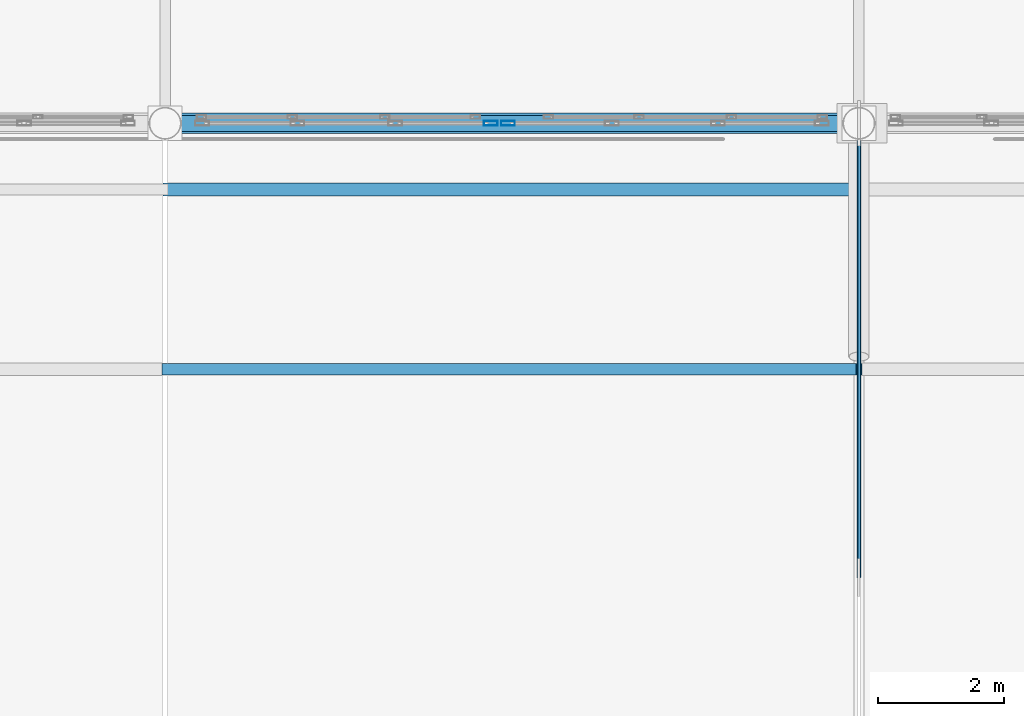
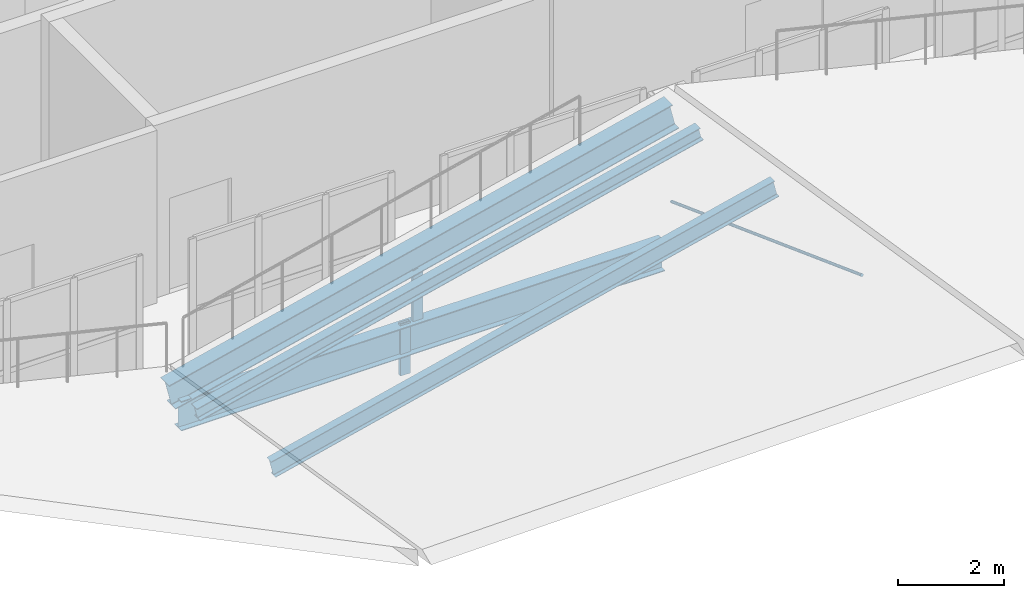
# One storey, part 40 of 120: 5 members, 2 beams, 2 elements without a shape of their own.
"""IFC4 building model written with IfcOpenShell, lengths in metres."""

import ifcopenshell
import ifcopenshell.guid

model = None  # the IFC model being written
_history = None  # IfcOwnerHistory: only IFC2X3 demands one
_inside = {}  # id of a spatial element -> (the spatial element, [elements in it])
_under = {}  # id of a project, library or spatial element -> (it, [spatial elements below it])
_declared = {}  # id of a project -> (the project, [libraries it declares])
_typed = {}  # id of a type object -> (the type object, [elements of that type])
_made_of = {}  # id of a material, layer set ... -> (it, [elements and type objects made of it])


def new_model(schema):
    """Start an empty IFC model of exactly this schema.

    Asked for "IFC4X3", IfcOpenShell would pick the latest addendum, in which some entities
    have other attributes; the version numbers below select the first issue.
    IFC2X3 requires an IfcOwnerHistory on every rooted entity: one is made here for all.
    """
    global model, _history
    if schema == "IFC4X3":
        model = ifcopenshell.file(schema_version=(4, 3, 0, 0))
    else:
        model = ifcopenshell.file(schema=schema)
    _inside.clear()
    _under.clear()
    _declared.clear()
    _typed.clear()
    _made_of.clear()
    _history = None
    if model.schema == "IFC2X3":
        org = make("IfcOrganization", Name="unknown")
        user = make(
            "IfcPersonAndOrganization",
            ThePerson=make("IfcPerson", FamilyName="unknown"),
            TheOrganization=org,
        )
        app = make(
            "IfcApplication",
            ApplicationDeveloper=org,
            Version="unknown",
            ApplicationFullName="unknown",
            ApplicationIdentifier="unknown",
        )
        _history = make(
            "IfcOwnerHistory",
            OwningUser=user,
            OwningApplication=app,
            ChangeAction="ADDED",
            CreationDate=0,
        )
    return model


def make(cls, **values):
    """One entity of the class cls with the attributes given. An attribute that is None is left unset."""
    return model.create_entity(
        cls, **{name: value for name, value in values.items() if value is not None}
    )


def rooted(cls, **values):
    """An entity with a GlobalId (a new one), such as an element, a storey or a relation."""
    return make(cls, GlobalId=ifcopenshell.guid.new(), OwnerHistory=_history, **values)


def si_unit(unit_type, name, prefix=None):
    """IfcSIUnit, for example si_unit("LENGTHUNIT", "METRE", prefix="MILLI")."""
    return make("IfcSIUnit", UnitType=unit_type, Prefix=prefix, Name=name)


def assignment(units):
    """IfcUnitAssignment: the units of a project."""
    return None if units is None else make("IfcUnitAssignment", Units=units)


def point(xyz):
    """IfcCartesianPoint."""
    return None if xyz is None else make("IfcCartesianPoint", Coordinates=xyz)


def direction(xyz):
    """IfcDirection."""
    return None if xyz is None else make("IfcDirection", DirectionRatios=xyz)


def frame(location, z_axis=None, x_axis=None):
    """IfcAxis2Placement3D, a coordinate frame: its origin and axes. An axis left out is left unset."""
    return make(
        "IfcAxis2Placement3D",
        Location=point(location),
        Axis=direction(z_axis),
        RefDirection=direction(x_axis),
    )


def frame_2d(location, x_axis=None):
    """IfcAxis2Placement2D, a coordinate frame in the plane: its origin and x axis."""
    return make(
        "IfcAxis2Placement2D", Location=point(location), RefDirection=direction(x_axis)
    )


def origin():
    """The frame at (0, 0, 0) with its axes left unset."""
    return frame((0.0, 0.0, 0.0))


def origin_2d():
    """The frame at (0, 0) in the plane with its x axis left unset."""
    return frame_2d((0.0, 0.0))


def place(relative_to, where):
    """IfcLocalPlacement: puts the frame where relative to a parent placement (None: the world)."""
    return make(
        "IfcLocalPlacement", PlacementRelTo=relative_to, RelativePlacement=where
    )


def context(
    kind, dimensions, precision=None, world=None, true_north=None, identifier=None
):
    """IfcGeometricRepresentationContext, for example the 3D "Model" context."""
    return make(
        "IfcGeometricRepresentationContext",
        ContextIdentifier=identifier,
        ContextType=kind,
        CoordinateSpaceDimension=dimensions,
        Precision=precision,
        WorldCoordinateSystem=world,
        TrueNorth=true_north,
    )


def subcontext(parent, identifier, kind, view, scale=None):
    """IfcGeometricRepresentationSubContext, for example "Body" below "Model"."""
    return make(
        "IfcGeometricRepresentationSubContext",
        ContextIdentifier=identifier,
        ContextType=kind,
        ParentContext=parent,
        TargetScale=scale,
        TargetView=view,
    )


def project(units=None, contexts=None):
    """IfcProject with its units and contexts."""
    return rooted(
        "IfcProject",
        Name="project",
        RepresentationContexts=contexts,
        UnitsInContext=assignment(units),
    )


def spatial(cls, under=None, at=None, **own):
    """A site, building, storey or space (cls), placed at a placement, below another one or the project."""
    s = rooted(cls, ObjectPlacement=at, **own)
    if under is not None:
        _under.setdefault(under.id(), (under, []))[1].append(s)
    return s


def profile(cls, at=None, kind="AREA", **sizes):
    """A parametric profile (cls). Its sizes go by their IFC names, for example OverallWidth=200.0."""
    return make(cls, ProfileType=kind, Position=at, **sizes)


def hollow_rectangle(**sizes):
    """IfcRectangleHollowProfileDef."""
    return profile("IfcRectangleHollowProfileDef", **sizes)


def circle(**sizes):
    """IfcCircleProfileDef."""
    return profile("IfcCircleProfileDef", **sizes)


def i_section(**sizes):
    """IfcIShapeProfileDef."""
    return profile("IfcIShapeProfileDef", **sizes)


def extrude(swept, where, along, depth):
    """IfcExtrudedAreaSolid: the profile swept, set in the frame where, extruded along a direction by depth."""
    return make(
        "IfcExtrudedAreaSolid",
        SweptArea=swept,
        Position=where,
        ExtrudedDirection=direction(along),
        Depth=depth,
    )


def shape(context_of_items, identifier, shape_type, items):
    """IfcShapeRepresentation: the items that make up one representation, for example the "Body"."""
    return make(
        "IfcShapeRepresentation",
        ContextOfItems=context_of_items,
        RepresentationIdentifier=identifier,
        RepresentationType=shape_type,
        Items=items,
    )


def material(Name=None, Category=None):
    """IfcMaterial."""
    return make("IfcMaterial", Name=Name, Category=Category)


def material_profile(
    of_material, cross_section, Name=None, Category=None, Priority=None
):
    """IfcMaterialProfile: a cross section and its material."""
    return make(
        "IfcMaterialProfile",
        Name=Name,
        Material=of_material,
        Profile=cross_section,
        Priority=Priority,
        Category=Category,
    )


def profile_set(profiles, Name=None, composite=None):
    """IfcMaterialProfileSet."""
    return make(
        "IfcMaterialProfileSet",
        Name=Name,
        MaterialProfiles=profiles,
        CompositeProfile=composite,
    )


def made_of(thing, what):
    """Note that an element or type object is made of a material, layer set ...; save() writes the relation."""
    if what is not None:
        _made_of.setdefault(what.id(), (what, []))[1].append(thing)
    return thing


def type_object(cls, material=None, **own):
    """A type object (cls), such as IfcWallType, which elements share."""
    return made_of(rooted(cls, **own), material)


def element(
    cls,
    number,
    at=None,
    inside=None,
    cuts=None,
    type_object=None,
    material=None,
    context=None,
    identifier="Body",
    shape_type=None,
    held_by="IfcProductDefinitionShape",
    body=None,
    shapes=None,
    **own,
):
    """One element of the class cls, such as IfcWall. Its Tag is "e" and its number.

    at: its placement. inside: the storey or other place that contains it. cuts: it is an
    opening in that element (IfcRelVoidsElement). A single representation is given by context,
    identifier, shape_type and body (its items); several are given by shapes. held_by: the class
    of the entity that holds the representations. save() writes the other relations.
    """
    e = rooted(cls, Tag="e%d" % number, ObjectPlacement=at, **own)
    if body is not None:
        shapes = [shape(context, identifier, shape_type, body)]
    if shapes is not None:
        e.Representation = make(held_by, Representations=shapes)
    if inside is not None:
        _inside.setdefault(inside.id(), (inside, []))[1].append(e)
    if cuts is not None:
        rooted(
            "IfcRelVoidsElement", RelatingBuildingElement=cuts, RelatedOpeningElement=e
        )
    if type_object is not None:
        _typed.setdefault(type_object.id(), (type_object, []))[1].append(e)
    return made_of(e, material)


def aggregate(whole, parts):
    """IfcRelAggregates: a whole, such as a stair, and the parts it consists of."""
    return rooted("IfcRelAggregates", RelatingObject=whole, RelatedObjects=parts)


def save(model, path):
    """Write the relations noted so far, then the file.

    IfcRelAggregates (storeys below a building ...), IfcRelContainedInSpatialStructure (elements
    in a storey), IfcRelDefinesByType, IfcRelAssociatesMaterial and IfcRelDeclares: one each for
    every whole, place, type object, material and project.
    """
    for whole, parts in _under.values():
        aggregate(whole, parts)
    for where, things in _inside.values():
        rooted(
            "IfcRelContainedInSpatialStructure",
            RelatedElements=things,
            RelatingStructure=where,
        )
    for kind, things in _typed.values():
        rooted("IfcRelDefinesByType", RelatedObjects=things, RelatingType=kind)
    for what, things in _made_of.values():
        rooted("IfcRelAssociatesMaterial", RelatedObjects=things, RelatingMaterial=what)
    for by, libraries in _declared.values():
        rooted("IfcRelDeclares", RelatingContext=by, RelatedDefinitions=libraries)
    model.write(path)


model = new_model("IFC4")

# Units and contexts
model_context = context("Model", 3, precision=1e-05, world=origin(), true_north=direction((0.0, 1.0)))
body_context = subcontext(model_context, "Body", "Model", "MODEL_VIEW")
ifc_project = project(units=[si_unit("LENGTHUNIT", "METRE"), si_unit("AREAUNIT", "SQUARE_METRE"), si_unit("VOLUMEUNIT", "CUBIC_METRE"), si_unit("PLANEANGLEUNIT", "RADIAN"), si_unit("MASSUNIT", "GRAM", prefix="KILO")], contexts=[model_context])

# Site, building, storey
site_placement = place(None, origin())
site = spatial("IfcSite", under=ifc_project, at=site_placement, CompositionType="ELEMENT")
building_placement = place(site_placement, origin())
building = spatial("IfcBuilding", under=site, at=building_placement, Name="Caurita Quay Ferry Terminal", CompositionType="ELEMENT")
storey_placement = place(building_placement, frame((0.0, 0.0, 9.89990234375)))
storey = spatial("IfcBuildingStorey", under=building, at=storey_placement, Name="L02", CompositionType="ELEMENT", Elevation=9.89990234375)

# Beams
ifc_material_1 = material(Name="Structural steel ASTM A992 Gr. 50", Category="steel")
ifc_material_profile_1 = material_profile(ifc_material_1, i_section(OverallWidth=0.3251953125, OverallDepth=0.612060546875, WebThickness=0.0126953125, FlangeThickness=0.01904296875, FilletRadius=0.01513671875, at=origin_2d()), Name="W24X104")
ifc_profile_set_1 = profile_set([ifc_material_profile_1], Name="Structural steel ASTM A992 Gr. 50")
beam_type_1 = type_object("IfcBeamType", Name="BM-GR-W24A", PredefinedType="BEAM", material=ifc_profile_set_1)
beam_1_placement = place(storey_placement, frame((66.0, 62.699951171875, -0.02978515625), z_axis=(0.972389456854, 0.0, 0.233363973654), x_axis=(0.0, 1.0, 0.0)))
element("IfcBeam", 1, at=beam_1_placement, inside=storey, type_object=beam_type_1, Name="Folded Roof Gable Ring Girder V1-N-66", PredefinedType="BEAM", context=body_context, shape_type="SweptSolid", body=[
    extrude(i_section(OverallWidth=0.3251953125, OverallDepth=0.612060546875, WebThickness=0.0126953125, FlangeThickness=0.01904296875, FilletRadius=0.01513671875, at=origin_2d()), origin(), (0.0, 0.0, 1.0), 11.312255859375),
])
ifc_material_profile_2 = material_profile(ifc_material_1, i_section(OverallWidth=0.25390625, OverallDepth=0.68310546875, WebThickness=0.012451171875, FlangeThickness=0.018798828125, at=origin_2d()), Name="W27X94")
ifc_profile_set_2 = profile_set([ifc_material_profile_2], Name="Structural steel ASTM A992 Gr. 50")
beam_type_2 = type_object("IfcBeamType", Name="BM-GR-W27B", PredefinedType="BEAM", material=ifc_profile_set_2)
beam_2_placement = place(storey_placement, frame((66.2158203125, 62.699951171875, -0.5615234375), z_axis=(1.0, 0.0, 0.0), x_axis=(0.0, 1.0, 0.0)))
element("IfcBeam", 2, at=beam_2_placement, inside=storey, type_object=beam_type_2, Name="L02 Beam BM-V1-L02-X-662-627", PredefinedType="BEAM", context=body_context, shape_type="SweptSolid", body=[
    extrude(i_section(OverallWidth=0.25390625, OverallDepth=0.68310546875, WebThickness=0.012451171875, FlangeThickness=0.018798828125, at=origin_2d()), origin(), (0.0, 0.0, 1.0), 10.568359375),
])

# Curtain wall, member
ifc_material_2 = material(Name="Laminated solar-control insulated glass", Category="glass")
curtain_wall_type_1 = type_object("IfcCurtainWallType", Name="CW-SYS-05", PredefinedType="NOTDEFINED", material=ifc_material_2)
curtain_wall_1_placement = place(storey_placement, origin())
curtain_wall_1 = element("IfcCurtainWall", 3, at=curtain_wall_1_placement, inside=storey, type_object=curtain_wall_type_1, Name="Folded Roof Clerestory FB-04-N1", PredefinedType="NOTDEFINED")
ifc_material_3 = material(Name="Anodized aluminium 6063-T6", Category="aluminium")
ifc_material_profile_3 = material_profile(ifc_material_3, hollow_rectangle(XDim=0.074951171875, YDim=0.219970703125, WallThickness=0.00390625, at=origin_2d()), Name="ALU-MUL-75X220")
ifc_profile_set_3 = profile_set([ifc_material_profile_3], Name="Anodized aluminium 6063-T6")
member_type_1 = type_object("IfcMemberType", Name="CW-MUL-220", PredefinedType="MULLION", material=ifc_profile_set_3)
member_1_placement = place(storey_placement, frame((71.16259765625, 62.699951171875, -1.3828125), z_axis=(0.0, 0.0, 1.0), x_axis=(0.0, 1.0, 0.0)))
member_1 = element("IfcMember", 4, at=member_1_placement, type_object=member_type_1, Name="CW-CLR-029 Mullion 4", PredefinedType="MULLION", context=body_context, shape_type="SweptSolid", body=[
    extrude(hollow_rectangle(XDim=0.074951171875, YDim=0.219970703125, WallThickness=0.00390625, at=origin_2d()), origin(), (0.0, 0.0, 1.0), 1.199951171875),
])
aggregate(curtain_wall_1, [member_1])

curtain_wall_type_2 = type_object("IfcCurtainWallType", Name="CW-SYS-06", PredefinedType="NOTDEFINED", material=ifc_material_2)
curtain_wall_2_placement = place(storey_placement, origin())
curtain_wall_2 = element("IfcCurtainWall", 5, at=curtain_wall_2_placement, inside=storey, type_object=curtain_wall_type_2, Name="Folded Roof Clerestory FB-04-N2", PredefinedType="NOTDEFINED")
member_2_placement = place(storey_placement, frame((71.4375, 62.699951171875, -0.218994140625), z_axis=(0.0, 0.0, 1.0), x_axis=(0.0, 1.0, 0.0)))
member_2 = element("IfcMember", 6, at=member_2_placement, type_object=member_type_1, Name="CW-CLR-030 Mullion 1", PredefinedType="MULLION", context=body_context, shape_type="SweptSolid", body=[
    extrude(hollow_rectangle(XDim=0.074951171875, YDim=0.219970703125, WallThickness=0.00390625, at=origin_2d()), origin(), (0.0, 0.0, 1.0), 1.2001953125),
])
aggregate(curtain_wall_2, [member_2])

# Members
ifc_material_4 = material(Name="Structural stay cable steel ASTM A586", Category="steel")
ifc_material_profile_4 = material_profile(ifc_material_4, circle(Radius=0.031982421875, at=origin_2d()), Name="CABLE-D64")
ifc_profile_set_4 = profile_set([ifc_material_profile_4], Name="Structural stay cable steel ASTM A586")
member_type_2 = type_object("IfcMemberType", Name="MEM-CBL-64", PredefinedType="USERDEFINED", material=ifc_profile_set_4)
member_3_placement = place(storey_placement, frame((77.0, 62.699951171875, 0.550048828125), z_axis=(0.0, -0.937754897707, 0.347297785519), x_axis=(1.0, 0.0, 0.0)))
element("IfcMember", 7, at=member_3_placement, inside=storey, type_object=member_type_2, Name="Folded Roof Stay Cable V1-08-N1", ObjectType="STAY CABLE", PredefinedType="USERDEFINED", context=body_context, shape_type="SweptSolid", body=[
    extrude(circle(Radius=0.031982421875, at=origin_2d()), origin(), (0.0, 0.0, 1.0), 7.677978515625),
])
ifc_material_profile_5 = material_profile(ifc_material_1, i_section(OverallWidth=0.20458984375, OverallDepth=0.307373046875, WebThickness=0.008544921875, FlangeThickness=0.0146484375, FilletRadius=0.0126953125, at=origin_2d()), Name="W12X45")
ifc_profile_set_5 = profile_set([ifc_material_profile_5], Name="Structural steel ASTM A992 Gr. 50")
member_type_3 = type_object("IfcMemberType", Name="MEM-PUR-12", PredefinedType="PURLIN", material=ifc_profile_set_5)
member_4_placement = place(storey_placement, frame((66.0, 61.64990234375, 0.168212890625), z_axis=(0.972389456854, 0.0, 0.233363973654), x_axis=(0.0, 1.0, 0.0)))
element("IfcMember", 8, at=member_4_placement, inside=storey, type_object=member_type_3, Name="Folded Roof Purlin PUR-070", PredefinedType="PURLIN", context=body_context, shape_type="SweptSolid", body=[
    extrude(i_section(OverallWidth=0.20458984375, OverallDepth=0.307373046875, WebThickness=0.008544921875, FlangeThickness=0.0146484375, FilletRadius=0.0126953125, at=origin_2d()), origin(), (0.0, 0.0, 1.0), 11.312255859375),
])
ifc_material_profile_6 = material_profile(ifc_material_1, i_section(OverallWidth=0.177734375, OverallDepth=0.40380859375, WebThickness=0.007568359375, FlangeThickness=0.010986328125, FilletRadius=0.011474609375, at=origin_2d()), Name="W16X36")
ifc_profile_set_6 = profile_set([ifc_material_profile_6], Name="Structural steel ASTM A992 Gr. 50")
member_type_4 = type_object("IfcMemberType", Name="MEM-PUR-16", PredefinedType="PURLIN", material=ifc_profile_set_6)
member_5_placement = place(storey_placement, frame((66.0, 58.800048828125, 0.6240234375), z_axis=(0.972384559308, 0.0, 0.23338437998), x_axis=(0.0, 1.0, 0.0)))
element("IfcMember", 9, at=member_5_placement, inside=storey, type_object=member_type_4, Name="Folded Roof Purlin PUR-069", PredefinedType="PURLIN", context=body_context, shape_type="SweptSolid", body=[
    extrude(i_section(OverallWidth=0.177734375, OverallDepth=0.40380859375, WebThickness=0.007568359375, FlangeThickness=0.010986328125, FilletRadius=0.011474609375, at=origin_2d()), origin(), (0.0, 0.0, 1.0), 11.3125),
])

save(model, "model.ifc")
